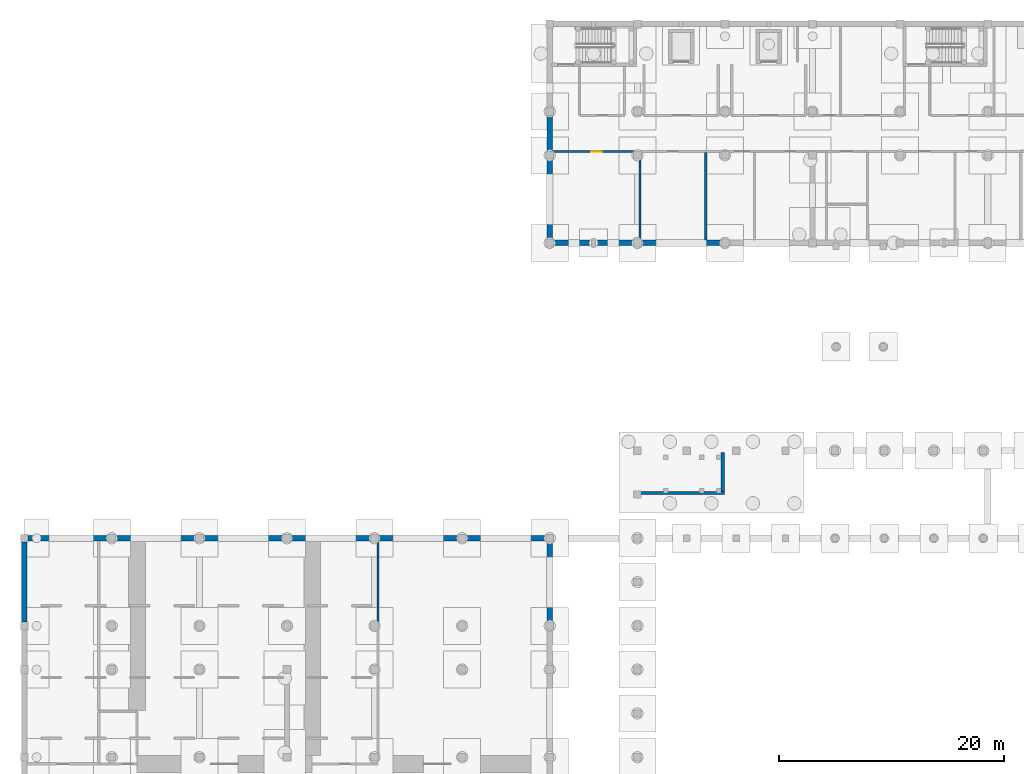
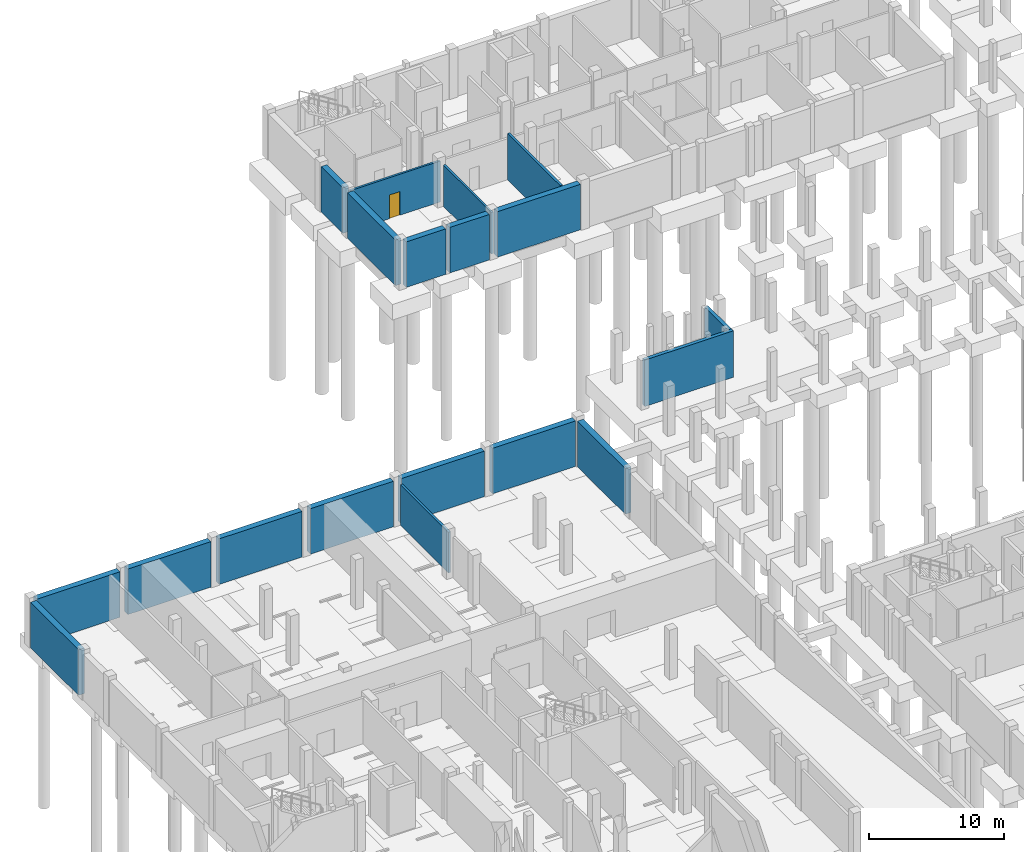
# One storey, part 15 of 24: 19 walls, 1 door, 1 opening.
"""IFC4 building model written with IfcOpenShell, lengths in metres."""

from ifc_helpers import new_model, si_unit, direction, frame, frame_2d, origin, place, context, subcontext, project, spatial, rectangle, extrude, material, layer, layer_set, type_object, element, fill, save


model = new_model("IFC4")

# Units and contexts
model_context = context("Model", 3, precision=1e-05, world=origin(), true_north=direction((0.0, 1.0)))
body_context = subcontext(model_context, "Body", "Model", "MODEL_VIEW")
ifc_project = project(units=[si_unit("LENGTHUNIT", "METRE"), si_unit("AREAUNIT", "SQUARE_METRE"), si_unit("VOLUMEUNIT", "CUBIC_METRE"), si_unit("PLANEANGLEUNIT", "RADIAN"), si_unit("MASSUNIT", "GRAM", prefix="KILO")], contexts=[model_context])

# Site, building, storey
site_placement = place(None, origin())
site = spatial("IfcSite", under=ifc_project, at=site_placement, CompositionType="ELEMENT")
building_placement = place(site_placement, origin())
building = spatial("IfcBuilding", under=site, at=building_placement, Name="Celorna Specialist Clinic", CompositionType="ELEMENT")
storey_placement = place(building_placement, frame((0.0, 0.0, -4.5)))
storey = spatial("IfcBuildingStorey", under=building, at=storey_placement, Name="B01", CompositionType="ELEMENT", Elevation=-4.5)

# Walls
ifc_material_1 = material(Name="Concrete C35/45", Category="concrete")
ifc_layer_1 = layer(ifc_material_1, 0.5, Name="Concrete C35/45")
ifc_layer_set_1 = layer_set([ifc_layer_1], Name="Concrete C35/45")
wall_type_1 = type_object("IfcWallType", Name="WT-03", PredefinedType="SOLIDWALL", material=ifc_layer_set_1)
wall_1_placement = place(storey_placement, frame((0.0, 62.75, 0.0), z_axis=(0.0, 0.0, 1.0), x_axis=(0.0, 1.0, 0.0)))
element("IfcWall", 1, at=wall_1_placement, inside=storey, type_object=wall_type_1, Name="External facade wall WT-03 #6", PredefinedType="SOLIDWALL", context=body_context, shape_type="SweptSolid", body=[
    extrude(rectangle(XDim=7.10009765625, YDim=0.5, at=frame_2d((3.550048828125, 0.0))), origin(), (0.0, 0.0, 1.0), 4.1201171875),
])
wall_2_placement = place(storey_placement, frame((0.35009765625, 70.199951171875, 0.0), z_axis=(0.0, 0.0, 1.0), x_axis=(1.0, 0.0, 0.0)))
element("IfcWall", 2, at=wall_2_placement, inside=storey, type_object=wall_type_1, Name="External facade wall WT-03 #7", PredefinedType="SOLIDWALL", context=body_context, shape_type="SweptSolid", body=[
    extrude(rectangle(XDim=7.099853515625, YDim=0.5, at=frame_2d((3.5498046875, 0.0))), origin(), (0.0, 0.0, 1.0), 4.1201171875),
])
for number, where, z_axis, x_axis, name in (
    (3, (8.14990234375, 70.199951171875, 0.0), (0.0, 0.0, 1.0), (1.0, 0.0, 0.0), "External facade wall WT-03 #8"),
    (4, (15.949951171875, 70.199951171875, 0.0), (0.0, 0.0, 1.0), (1.0, 0.0, 0.0), "External facade wall WT-03 #9"),
    (5, (23.75, 70.199951171875, 0.0), (0.0, 0.0, 1.0), (1.0, 0.0, 0.0), "External facade wall WT-03 #10"),
):
    element("IfcWall", number, at=place(storey_placement, frame(where, z_axis=z_axis, x_axis=x_axis)), inside=storey, type_object=wall_type_1, Name=name, PredefinedType="SOLIDWALL", context=body_context, shape_type="SweptSolid", body=[
        extrude(rectangle(XDim=7.10009765625, YDim=0.5, at=frame_2d((3.550048828125, 0.0))), origin(), (0.0, 0.0, 1.0), 4.1201171875),
    ])
for number, where, z_axis, x_axis, name in (
    (6, (31.550048828125, 70.199951171875, 0.0), (0.0, 0.0, 1.0), (1.0, 0.0, 0.0), "External facade wall WT-03 #11"),
    (7, (39.35009765625, 70.199951171875, 0.0), (0.0, 0.0, 1.0), (1.0, 0.0, 0.0), "External facade wall WT-03 #12"),
):
    element("IfcWall", number, at=place(storey_placement, frame(where, z_axis=z_axis, x_axis=x_axis)), inside=storey, type_object=wall_type_1, Name=name, PredefinedType="SOLIDWALL", context=body_context, shape_type="SweptSolid", body=[
        extrude(rectangle(XDim=7.099853515625, YDim=0.5, at=frame_2d((3.5498046875, 0.0))), origin(), (0.0, 0.0, 1.0), 4.1201171875),
    ])
for number, where, z_axis, x_axis, name in (
    (8, (46.800048828125, 69.85009765625, 0.0), (0.0, 0.0, 1.0), (0.0, -1.0, 0.0), "External facade wall WT-03 #13"),
    (9, (62.050048828125, 96.5, 0.0), (0.0, 0.0, 1.0), (-1.0, 0.0, 0.0), "External facade wall WT-03 #72"),
):
    element("IfcWall", number, at=place(storey_placement, frame(where, z_axis=z_axis, x_axis=x_axis)), inside=storey, type_object=wall_type_1, Name=name, PredefinedType="SOLIDWALL", context=body_context, shape_type="SweptSolid", body=[
        extrude(rectangle(XDim=7.10009765625, YDim=0.5, at=frame_2d((3.550048828125, 0.0))), origin(), (0.0, 0.0, 1.0), 4.1201171875),
    ])
for number, where, z_axis, x_axis, name in (
    (10, (54.25, 96.5, 0.0), (0.0, 0.0, 1.0), (-1.0, 0.0, 0.0), "External facade wall WT-03 #73"),
    (11, (50.52490234375, 96.5, 0.0), (0.0, 0.0, 1.0), (-1.0, 0.0, 0.0), "External facade wall WT-03 #74"),
):
    element("IfcWall", number, at=place(storey_placement, frame(where, z_axis=z_axis, x_axis=x_axis)), inside=storey, type_object=wall_type_1, Name=name, PredefinedType="SOLIDWALL", context=body_context, shape_type="SweptSolid", body=[
        extrude(rectangle(XDim=3.375, YDim=0.5, at=frame_2d((1.6875, 0.0))), origin(), (0.0, 0.0, 1.0), 4.1201171875),
    ])
wall_3_placement = place(storey_placement, frame((46.800048828125, 96.85009765625, 0.0), z_axis=(0.0, 0.0, 1.0), x_axis=(0.0, 1.0, 0.0)))
element("IfcWall", 12, at=wall_3_placement, inside=storey, type_object=wall_type_1, Name="External facade wall WT-03 #75", PredefinedType="SOLIDWALL", context=body_context, shape_type="SweptSolid", body=[
    extrude(rectangle(XDim=7.099853515625, YDim=0.5, at=frame_2d((3.5498046875, 0.0))), origin(), (0.0, 0.0, 1.0), 4.1201171875),
])
wall_4_placement = place(storey_placement, frame((46.800048828125, 104.64990234375, 0.0), z_axis=(0.0, 0.0, 1.0), x_axis=(0.0, 1.0, 0.0)))
element("IfcWall", 13, at=wall_4_placement, inside=storey, type_object=wall_type_1, Name="External facade wall WT-03 #76", PredefinedType="SOLIDWALL", context=body_context, shape_type="SweptSolid", body=[
    extrude(rectangle(XDim=3.2001953125, YDim=0.5, at=frame_2d((1.60009765625, 0.0))), origin(), (0.0, 0.0, 1.0), 4.1201171875),
])
ifc_layer_2 = layer(ifc_material_1, 0.300048828125, Name="Concrete C35/45")
ifc_layer_set_2 = layer_set([ifc_layer_2], Name="Concrete C35/45")
wall_type_2 = type_object("IfcWallType", Name="WT-08", PredefinedType="SHEAR", material=ifc_layer_set_2)
wall_5_placement = place(storey_placement, frame((54.75, 74.22998046875, 0.0), z_axis=(0.0, 0.0, 1.0), x_axis=(1.0, 0.0, 0.0)))
element("IfcWall", 14, at=wall_5_placement, inside=storey, type_object=wall_type_2, Name="Stair ST-10 RC core wall B01 south", PredefinedType="SHEAR", context=body_context, shape_type="SweptSolid", body=[
    extrude(rectangle(XDim=7.590087890625, YDim=0.300048828125, at=frame_2d((3.794921875, 0.0))), origin(), (0.0, 0.0, 1.0), 4.199951171875),
])
wall_6_placement = place(storey_placement, frame((62.18994140625, 74.3798828125, 0.0), z_axis=(0.0, 0.0, 1.0), x_axis=(0.0, 1.0, 0.0)))
element("IfcWall", 15, at=wall_6_placement, inside=storey, type_object=wall_type_2, Name="Stair ST-10 RC core wall B01 east", PredefinedType="SHEAR", context=body_context, shape_type="SweptSolid", body=[
    extrude(rectangle(XDim=3.47021484375, YDim=0.300048828125, at=frame_2d((1.735107421875, 0.0))), origin(), (0.0, 0.0, 1.0), 4.199951171875),
])
ifc_layer_3 = layer(ifc_material_1, 0.199951171875, Name="Concrete C35/45")
ifc_layer_set_3 = layer_set([ifc_layer_3], Name="Concrete C35/45")
wall_type_3 = type_object("IfcWallType", Name="WT-12", PredefinedType="SOLIDWALL", material=ifc_layer_set_3)
wall_7_placement = place(storey_placement, frame((31.5, 62.75, 0.0), z_axis=(0.0, 0.0, 1.0), x_axis=(0.0, 1.0, 0.0)))
element("IfcWall", 16, at=wall_7_placement, inside=storey, type_object=wall_type_3, Name="Room dividing partition WT-12 B01-017", PredefinedType="SOLIDWALL", context=body_context, shape_type="SweptSolid", body=[
    extrude(rectangle(XDim=7.10009765625, YDim=0.199951171875, at=frame_2d((3.550048828125, 0.0))), origin(), (0.0, 0.0, 1.0), 3.669921875),
])
wall_8_placement = place(storey_placement, frame((60.699951171875, 96.75, 0.0), z_axis=(0.0, 0.0, 1.0), x_axis=(0.0, 1.0, 0.0)))
element("IfcWall", 17, at=wall_8_placement, inside=storey, type_object=wall_type_3, Name="Room dividing partition WT-12 B01-023", PredefinedType="SOLIDWALL", context=body_context, shape_type="SweptSolid", body=[
    extrude(rectangle(XDim=7.800048828125, YDim=0.199951171875, at=frame_2d((3.89990234375, 0.0))), origin(), (0.0, 0.0, 1.0), 4.199951171875),
])

# Wall, opening, door
ifc_material_2 = material(Name="Acoustic masonry clinical partition", Category="masonry")
ifc_layer_4 = layer(ifc_material_2, 0.179931640625, Name="Acoustic masonry clinical partition")
ifc_layer_set_4 = layer_set([ifc_layer_4], Name="Acoustic masonry clinical partition")
wall_type_4 = type_object("IfcWallType", Name="WT-13", PredefinedType="PARTITIONING", material=ifc_layer_set_4)
wall_9_placement = place(storey_placement, frame((54.85009765625, 104.64990234375, 0.0), z_axis=(0.0, 0.0, 1.0), x_axis=(-1.0, 0.0, 0.0)))
wall_9 = element("IfcWall", 18, at=wall_9_placement, inside=storey, type_object=wall_type_4, Name="Interior partition WT-13 B01-022", PredefinedType="PARTITIONING", context=body_context, shape_type="SweptSolid", body=[
    extrude(rectangle(XDim=7.800048828125, YDim=0.179931640625, at=frame_2d((3.89990234375, 0.0))), origin(), (0.0, 0.0, 1.0), 3.7099609375),
])
opening_placement = place(wall_9_placement, frame((3.43994140625, 0.0, 0.0)))
opening = element("IfcOpeningElement", 19, at=opening_placement, cuts=wall_9, Name="Opening DR-20", PredefinedType="OPENING", context=body_context, shape_type="SweptSolid", body=[
    extrude(rectangle(XDim=0.919921875, YDim=2.14990234375, at=frame_2d((0.4599609375, 1.074951171875))), frame((0.0, 0.099853515625, 0.0), z_axis=(0.0, -1.0, 0.0), x_axis=(1.0, 0.0, 0.0)), (0.0, 0.0, 1.0), 0.199951171875),
])
ifc_material_3 = material(Name="Timber clinical consultation door", Category="wood")
door_type = type_object("IfcDoorType", Name="DR-20", OperationType="NOTDEFINED", PredefinedType="DOOR", material=ifc_material_3)
door_placement = place(opening_placement, origin())
door = element("IfcDoor", 20, at=door_placement, inside=storey, type_object=door_type, Name="Diagnostic Specimen Biobank Vault door B01-022", OperationType="SINGLE_SWING_LEFT", OverallHeight=2.14990234375, OverallWidth=0.919921875, PredefinedType="DOOR", context=body_context, shape_type="SweptSolid", body=[
    extrude(rectangle(XDim=0.919921875, YDim=2.14990234375, at=frame_2d((0.4599609375, 1.074951171875))), frame((0.0, 0.02490234375, 0.0), z_axis=(0.0, -1.0, 0.0), x_axis=(1.0, 0.0, 0.0)), (0.0, 0.0, 1.0), 0.050048828125),
])
fill(opening, door)

# Wall
wall_10_placement = place(storey_placement, frame((54.85009765625, 96.85009765625, 0.0), z_axis=(0.0, 0.0, 1.0), x_axis=(0.0, 1.0, 0.0)))
element("IfcWall", 21, at=wall_10_placement, inside=storey, type_object=wall_type_4, Name="Room dividing partition WT-13 B01-022", PredefinedType="PARTITIONING", context=body_context, shape_type="SweptSolid", body=[
    extrude(rectangle(XDim=7.099853515625, YDim=0.179931640625, at=frame_2d((3.5498046875, 0.0))), origin(), (0.0, 0.0, 1.0), 3.75),
])

save(model, "model.ifc")
